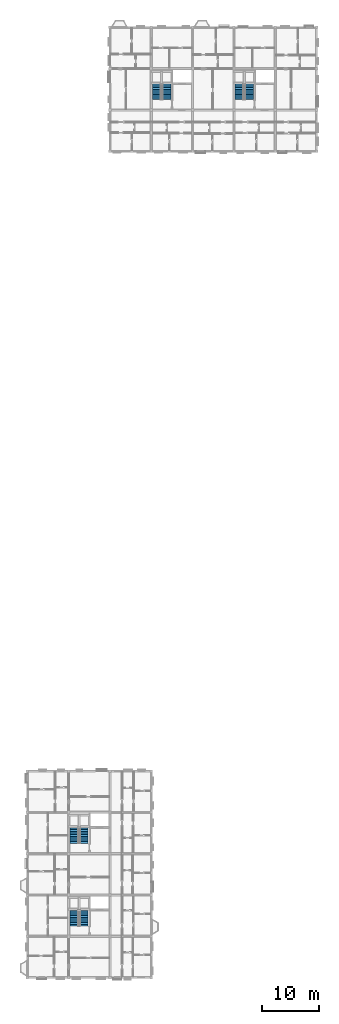
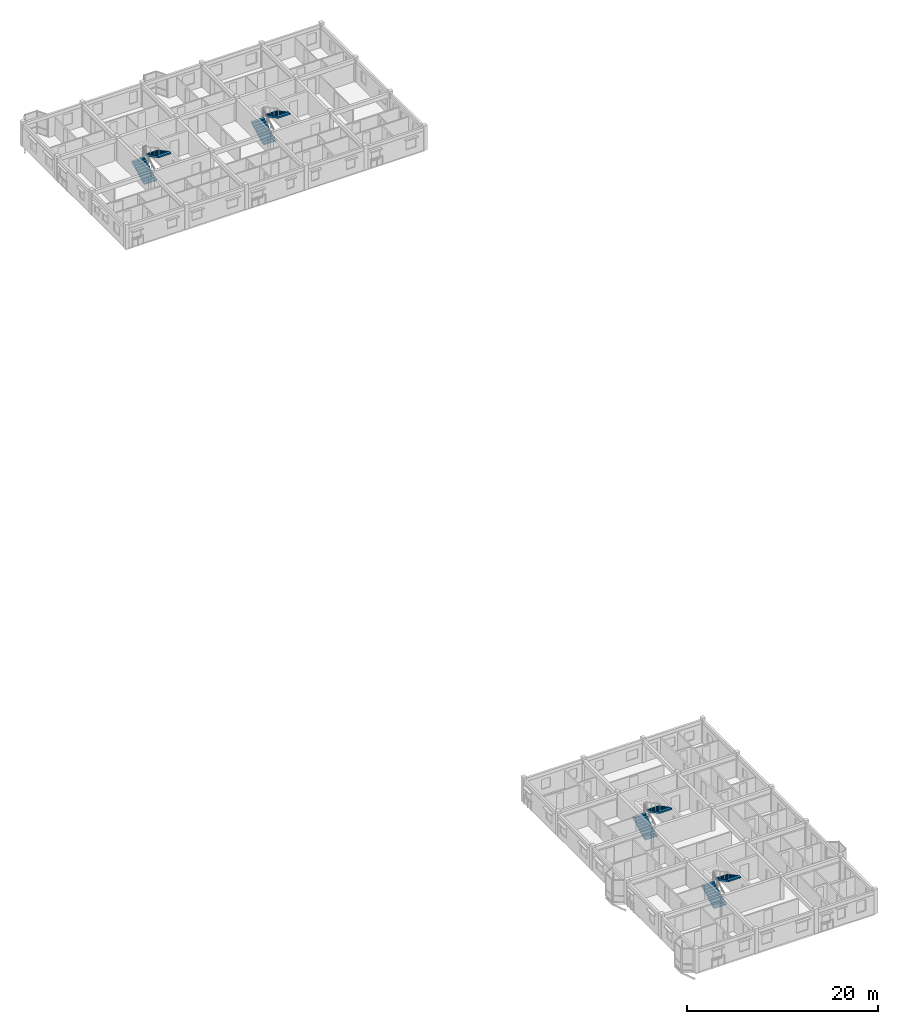
# One storey, part 26 of 28: 8 stair flights, 4 elements without a shape of their own.
"""IFC4 building model written with IfcOpenShell, lengths in metres."""

from ifc_helpers import new_model, si_unit, direction, frame, origin, place, context, subcontext, project, spatial, polyline, outline, extrude, material, type_object, element, aggregate, save


model = new_model("IFC4")

# Units and contexts
model_context = context("Model", 3, precision=1e-05, world=origin(), true_north=direction((0.0, 1.0)))
body_context = subcontext(model_context, "Body", "Model", "MODEL_VIEW")
ifc_project = project(units=[si_unit("LENGTHUNIT", "METRE"), si_unit("AREAUNIT", "SQUARE_METRE"), si_unit("VOLUMEUNIT", "CUBIC_METRE"), si_unit("PLANEANGLEUNIT", "RADIAN"), si_unit("MASSUNIT", "GRAM", prefix="KILO"), si_unit("THERMODYNAMICTEMPERATUREUNIT", "KELVIN"), si_unit("POWERUNIT", "WATT")], contexts=[model_context])

# Site, building, storey
site_placement = place(None, origin())
site = spatial("IfcSite", under=ifc_project, at=site_placement, CompositionType="ELEMENT")
building_placement = place(site_placement, origin())
building = spatial("IfcBuilding", under=site, at=building_placement, Name="Tavuni Mirador Residences", CompositionType="ELEMENT")
storey_placement = place(building_placement, frame((0.0, 0.0, 39.14990234375)))
storey = spatial("IfcBuildingStorey", under=building, at=storey_placement, Name="L12", CompositionType="ELEMENT", Elevation=39.14990234375)

# Stair, stair flights
ifc_material = material(Name="Precast concrete C40/50", Category="concrete")
stair_type = type_object("IfcStairType", Name="STT-TYP", PredefinedType="HALF_TURN_STAIR", material=ifc_material)
stair_1_placement = place(storey_placement, origin())
stair_1 = element("IfcStair", 1, at=stair_1_placement, inside=storey, type_object=stair_type, Name="Protected exit stair ST1 (L12)", PredefinedType="HALF_TURN_STAIR")
stair_flight_type = type_object("IfcStairFlightType", Name="SFT-1500", PredefinedType="STRAIGHT", material=ifc_material)
stair_flight_1_placement = place(storey_placement, frame((11.75, 16.199951171875, 0.0), z_axis=(0.0, 0.0, 1.0), x_axis=(0.0, 1.0, 0.0)))
stair_flight_1 = element("IfcStairFlight", 2, at=stair_flight_1_placement, type_object=stair_flight_type, Name="ST1 flight 1", NumberOfRisers=10, NumberOfTreads=9, PredefinedType="STRAIGHT", RiserHeight=0.1575, TreadLength=0.3, context=body_context, shape_type="SweptSolid", body=[
    extrude(outline(polyline([(0.0, 0.0), (0.0, 0.157470703125), (0.300048828125, 0.157470703125), (0.300048828125, 0.31494140625), (0.60009765625, 0.31494140625), (0.60009765625, 0.472412109375), (0.89990234375, 0.472412109375), (0.89990234375, 0.6298828125), (1.199951171875, 0.6298828125), (1.199951171875, 0.78759765625), (1.5, 0.78759765625), (1.5, 0.945068359375), (1.800048828125, 0.945068359375), (1.800048828125, 1.1025390625), (2.10009765625, 1.1025390625), (2.10009765625, 1.260009765625), (2.39990234375, 1.260009765625), (2.39990234375, 1.41748046875), (2.699951171875, 1.41748046875), (2.699951171875, 1.574951171875), (2.699951171875, 1.23681640625), (0.343994140625, 0.0), (0.0, 0.0)])), frame((0.0, 0.75, 0.0), z_axis=(0.0, -1.0, 0.0), x_axis=(1.0, 0.0, 0.0)), (0.0, 0.0, 1.0), 1.5),
])
stair_flight_2_placement = place(storey_placement, frame((13.449951171875, 18.89990234375, 1.5751953125), z_axis=(0.0, 0.0, 1.0), x_axis=(0.0, -1.0, 0.0)))
stair_flight_2 = element("IfcStairFlight", 3, at=stair_flight_2_placement, type_object=stair_flight_type, Name="ST1 flight 2", NumberOfRisers=10, NumberOfTreads=9, PredefinedType="STRAIGHT", RiserHeight=0.1575, TreadLength=0.3, context=body_context, shape_type="SweptSolid", body=[
    extrude(outline(polyline([(0.0, 0.0), (0.0, 0.157470703125), (0.300048828125, 0.157470703125), (0.300048828125, 0.31494140625), (0.60009765625, 0.31494140625), (0.60009765625, 0.472412109375), (0.89990234375, 0.472412109375), (0.89990234375, 0.6298828125), (1.199951171875, 0.6298828125), (1.199951171875, 0.78759765625), (1.5, 0.78759765625), (1.5, 0.945068359375), (1.800048828125, 0.945068359375), (1.800048828125, 1.1025390625), (2.10009765625, 1.1025390625), (2.10009765625, 1.260009765625), (2.39990234375, 1.260009765625), (2.39990234375, 1.41748046875), (2.699951171875, 1.41748046875), (2.699951171875, 1.574951171875), (2.699951171875, 1.23681640625), (0.343994140625, 0.0), (0.0, 0.0)])), frame((0.0, 0.75, 0.0), z_axis=(0.0, -1.0, 0.0), x_axis=(1.0, 0.0, 0.0)), (0.0, 0.0, 1.0), 1.5),
])
aggregate(stair_1, [stair_flight_1, stair_flight_2])

stair_2_placement = place(storey_placement, origin())
stair_2 = element("IfcStair", 4, at=stair_2_placement, inside=storey, type_object=stair_type, Name="Protected exit stair ST2 (L12)", PredefinedType="HALF_TURN_STAIR")
stair_flight_3_placement = place(storey_placement, frame((11.75, 30.60009765625, 0.0), z_axis=(0.0, 0.0, 1.0), x_axis=(0.0, 1.0, 0.0)))
stair_flight_3 = element("IfcStairFlight", 5, at=stair_flight_3_placement, type_object=stair_flight_type, Name="ST2 flight 1", NumberOfRisers=10, NumberOfTreads=9, PredefinedType="STRAIGHT", RiserHeight=0.1575, TreadLength=0.3, context=body_context, shape_type="SweptSolid", body=[
    extrude(outline(polyline([(0.0, 0.0), (0.0, 0.157470703125), (0.300048828125, 0.157470703125), (0.300048828125, 0.31494140625), (0.60009765625, 0.31494140625), (0.60009765625, 0.472412109375), (0.89990234375, 0.472412109375), (0.89990234375, 0.6298828125), (1.199951171875, 0.6298828125), (1.199951171875, 0.78759765625), (1.5, 0.78759765625), (1.5, 0.945068359375), (1.800048828125, 0.945068359375), (1.800048828125, 1.1025390625), (2.10009765625, 1.1025390625), (2.10009765625, 1.260009765625), (2.39990234375, 1.260009765625), (2.39990234375, 1.41748046875), (2.699951171875, 1.41748046875), (2.699951171875, 1.574951171875), (2.699951171875, 1.23681640625), (0.343994140625, 0.0), (0.0, 0.0)])), frame((0.0, 0.75, 0.0), z_axis=(0.0, -1.0, 0.0), x_axis=(1.0, 0.0, 0.0)), (0.0, 0.0, 1.0), 1.5),
])
stair_flight_4_placement = place(storey_placement, frame((13.449951171875, 33.300048828125, 1.5751953125), z_axis=(0.0, 0.0, 1.0), x_axis=(0.0, -1.0, 0.0)))
stair_flight_4 = element("IfcStairFlight", 6, at=stair_flight_4_placement, type_object=stair_flight_type, Name="ST2 flight 2", NumberOfRisers=10, NumberOfTreads=9, PredefinedType="STRAIGHT", RiserHeight=0.1575, TreadLength=0.3, context=body_context, shape_type="SweptSolid", body=[
    extrude(outline(polyline([(0.0, 0.0), (0.0, 0.157470703125), (0.300048828125, 0.157470703125), (0.300048828125, 0.31494140625), (0.60009765625, 0.31494140625), (0.60009765625, 0.472412109375), (0.89990234375, 0.472412109375), (0.89990234375, 0.6298828125), (1.199951171875, 0.6298828125), (1.199951171875, 0.78759765625), (1.5, 0.78759765625), (1.5, 0.945068359375), (1.800048828125, 0.945068359375), (1.800048828125, 1.1025390625), (2.10009765625, 1.1025390625), (2.10009765625, 1.260009765625), (2.39990234375, 1.260009765625), (2.39990234375, 1.41748046875), (2.699951171875, 1.41748046875), (2.699951171875, 1.574951171875), (2.699951171875, 1.23681640625), (0.343994140625, 0.0), (0.0, 0.0)])), frame((0.0, 0.75, 0.0), z_axis=(0.0, -1.0, 0.0), x_axis=(1.0, 0.0, 0.0)), (0.0, 0.0, 1.0), 1.5),
])
aggregate(stair_2, [stair_flight_3, stair_flight_4])

stair_3_placement = place(storey_placement, origin())
stair_3 = element("IfcStair", 7, at=stair_3_placement, inside=storey, type_object=stair_type, Name="Protected exit stair ST5 (L12)", PredefinedType="HALF_TURN_STAIR")
stair_flight_5_placement = place(storey_placement, frame((26.14990234375, 160.199951171875, 0.0), z_axis=(0.0, 0.0, 1.0), x_axis=(0.0, 1.0, 0.0)))
stair_flight_5 = element("IfcStairFlight", 8, at=stair_flight_5_placement, type_object=stair_flight_type, Name="ST5 flight 1", NumberOfRisers=10, NumberOfTreads=9, PredefinedType="STRAIGHT", RiserHeight=0.1575, TreadLength=0.3, context=body_context, shape_type="SweptSolid", body=[
    extrude(outline(polyline([(0.0, 0.0), (0.0, 0.157470703125), (0.300048828125, 0.157470703125), (0.300048828125, 0.31494140625), (0.60009765625, 0.31494140625), (0.60009765625, 0.472412109375), (0.89990234375, 0.472412109375), (0.89990234375, 0.6298828125), (1.199951171875, 0.6298828125), (1.199951171875, 0.78759765625), (1.5, 0.78759765625), (1.5, 0.945068359375), (1.800048828125, 0.945068359375), (1.800048828125, 1.1025390625), (2.10009765625, 1.1025390625), (2.10009765625, 1.260009765625), (2.39990234375, 1.260009765625), (2.39990234375, 1.41748046875), (2.699951171875, 1.41748046875), (2.699951171875, 1.574951171875), (2.699951171875, 1.23681640625), (0.343994140625, 0.0), (0.0, 0.0)])), frame((0.0, 0.75, 0.0), z_axis=(0.0, -1.0, 0.0), x_axis=(1.0, 0.0, 0.0)), (0.0, 0.0, 1.0), 1.5),
])
stair_flight_6_placement = place(storey_placement, frame((27.85009765625, 162.89990234375, 1.5751953125), z_axis=(0.0, 0.0, 1.0), x_axis=(0.0, -1.0, 0.0)))
stair_flight_6 = element("IfcStairFlight", 9, at=stair_flight_6_placement, type_object=stair_flight_type, Name="ST5 flight 2", NumberOfRisers=10, NumberOfTreads=9, PredefinedType="STRAIGHT", RiserHeight=0.1575, TreadLength=0.3, context=body_context, shape_type="SweptSolid", body=[
    extrude(outline(polyline([(0.0, 0.0), (0.0, 0.157470703125), (0.300048828125, 0.157470703125), (0.300048828125, 0.31494140625), (0.60009765625, 0.31494140625), (0.60009765625, 0.472412109375), (0.89990234375, 0.472412109375), (0.89990234375, 0.6298828125), (1.199951171875, 0.6298828125), (1.199951171875, 0.78759765625), (1.5, 0.78759765625), (1.5, 0.945068359375), (1.800048828125, 0.945068359375), (1.800048828125, 1.1025390625), (2.10009765625, 1.1025390625), (2.10009765625, 1.260009765625), (2.39990234375, 1.260009765625), (2.39990234375, 1.41748046875), (2.699951171875, 1.41748046875), (2.699951171875, 1.574951171875), (2.699951171875, 1.23681640625), (0.343994140625, 0.0), (0.0, 0.0)])), frame((0.0, 0.75, 0.0), z_axis=(0.0, -1.0, 0.0), x_axis=(1.0, 0.0, 0.0)), (0.0, 0.0, 1.0), 1.5),
])
aggregate(stair_3, [stair_flight_5, stair_flight_6])

stair_4_placement = place(storey_placement, origin())
stair_4 = element("IfcStair", 10, at=stair_4_placement, inside=storey, type_object=stair_type, Name="Protected exit stair ST6 (L12)", PredefinedType="HALF_TURN_STAIR")
stair_flight_7_placement = place(storey_placement, frame((40.550048828125, 160.199951171875, 0.0), z_axis=(0.0, 0.0, 1.0), x_axis=(0.0, 1.0, 0.0)))
stair_flight_7 = element("IfcStairFlight", 11, at=stair_flight_7_placement, type_object=stair_flight_type, Name="ST6 flight 1", NumberOfRisers=10, NumberOfTreads=9, PredefinedType="STRAIGHT", RiserHeight=0.1575, TreadLength=0.3, context=body_context, shape_type="SweptSolid", body=[
    extrude(outline(polyline([(0.0, 0.0), (0.0, 0.157470703125), (0.300048828125, 0.157470703125), (0.300048828125, 0.31494140625), (0.60009765625, 0.31494140625), (0.60009765625, 0.472412109375), (0.89990234375, 0.472412109375), (0.89990234375, 0.6298828125), (1.199951171875, 0.6298828125), (1.199951171875, 0.78759765625), (1.5, 0.78759765625), (1.5, 0.945068359375), (1.800048828125, 0.945068359375), (1.800048828125, 1.1025390625), (2.10009765625, 1.1025390625), (2.10009765625, 1.260009765625), (2.39990234375, 1.260009765625), (2.39990234375, 1.41748046875), (2.699951171875, 1.41748046875), (2.699951171875, 1.574951171875), (2.699951171875, 1.23681640625), (0.343994140625, 0.0), (0.0, 0.0)])), frame((0.0, 0.75, 0.0), z_axis=(0.0, -1.0, 0.0), x_axis=(1.0, 0.0, 0.0)), (0.0, 0.0, 1.0), 1.5),
])
stair_flight_8_placement = place(storey_placement, frame((42.25, 162.89990234375, 1.5751953125), z_axis=(0.0, 0.0, 1.0), x_axis=(0.0, -1.0, 0.0)))
stair_flight_8 = element("IfcStairFlight", 12, at=stair_flight_8_placement, type_object=stair_flight_type, Name="ST6 flight 2", NumberOfRisers=10, NumberOfTreads=9, PredefinedType="STRAIGHT", RiserHeight=0.1575, TreadLength=0.3, context=body_context, shape_type="SweptSolid", body=[
    extrude(outline(polyline([(0.0, 0.0), (0.0, 0.157470703125), (0.300048828125, 0.157470703125), (0.300048828125, 0.31494140625), (0.60009765625, 0.31494140625), (0.60009765625, 0.472412109375), (0.89990234375, 0.472412109375), (0.89990234375, 0.6298828125), (1.199951171875, 0.6298828125), (1.199951171875, 0.78759765625), (1.5, 0.78759765625), (1.5, 0.945068359375), (1.800048828125, 0.945068359375), (1.800048828125, 1.1025390625), (2.10009765625, 1.1025390625), (2.10009765625, 1.260009765625), (2.39990234375, 1.260009765625), (2.39990234375, 1.41748046875), (2.699951171875, 1.41748046875), (2.699951171875, 1.574951171875), (2.699951171875, 1.23681640625), (0.343994140625, 0.0), (0.0, 0.0)])), frame((0.0, 0.75, 0.0), z_axis=(0.0, -1.0, 0.0), x_axis=(1.0, 0.0, 0.0)), (0.0, 0.0, 1.0), 1.5),
])
aggregate(stair_4, [stair_flight_7, stair_flight_8])

save(model, "model.ifc")
